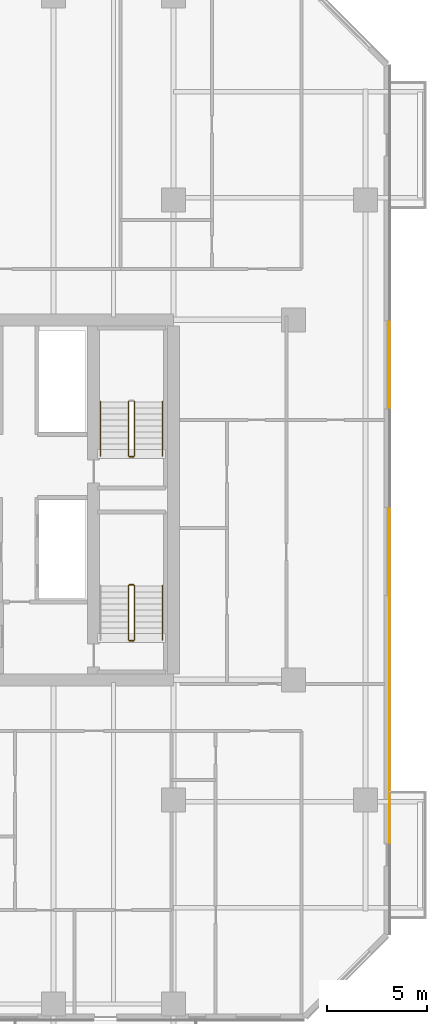
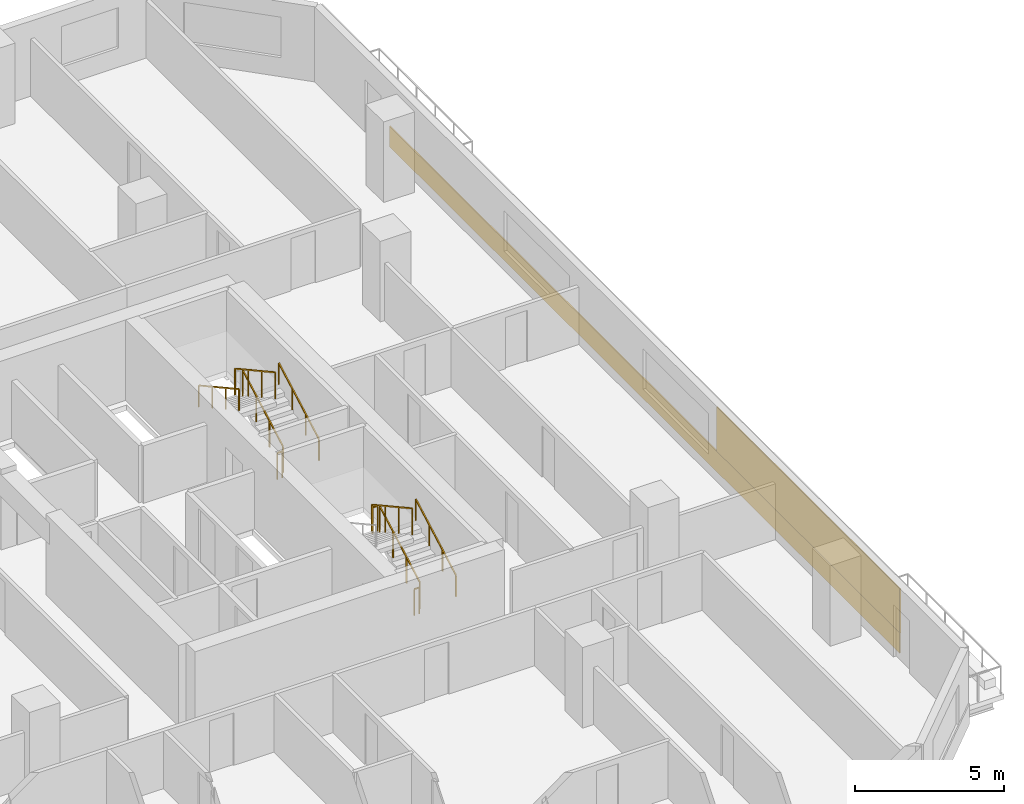
# One storey, part 24 of 26: 10 railings, 2 coverings.
"""IFC4 building model written with IfcOpenShell, lengths in metres."""

from ifc_helpers import new_model, si_unit, direction, frame, origin, origin_2d, place, context, subcontext, project, spatial, rectangle, extrude, material, layer, layer_set, type_object, element, save


model = new_model("IFC4")

# Units and contexts
model_context = context("Model", 3, precision=1e-05, world=origin(), true_north=direction((0.0, 1.0)))
body_context = subcontext(model_context, "Body", "Model", "MODEL_VIEW")
ifc_project = project(units=[si_unit("LENGTHUNIT", "METRE"), si_unit("AREAUNIT", "SQUARE_METRE"), si_unit("VOLUMEUNIT", "CUBIC_METRE"), si_unit("PLANEANGLEUNIT", "RADIAN"), si_unit("MASSUNIT", "GRAM", prefix="KILO")], contexts=[model_context])

# Site, building, storey
site_placement = place(None, origin())
site = spatial("IfcSite", under=ifc_project, at=site_placement, CompositionType="ELEMENT")
building_placement = place(site_placement, origin())
building = spatial("IfcBuilding", under=site, at=building_placement, Name="Tanjung Sevakor Pilgrim Tower", CompositionType="ELEMENT")
storey_placement = place(building_placement, frame((0.0, 0.0, 45.5400390625)))
storey = spatial("IfcBuildingStorey", under=building, at=storey_placement, Name="L12", CompositionType="ELEMENT", Elevation=45.5400390625)

# Coverings
ifc_material_1 = material(Name="Reconstructed Limestone Cladding", Category="masonry")
ifc_layer = layer(ifc_material_1, 0.044921875)
ifc_layer_set = layer_set([ifc_layer], Name="COV-CLAD-LIMESTONE")
covering_type = type_object("IfcCoveringType", Name="COV-CLAD-LIMESTONE", PredefinedType="CLADDING", material=ifc_layer_set)
covering_1_placement = place(storey_placement, frame((100.822509765625, 33.60009765625, 0.009765625), z_axis=(0.0, 0.0, 1.0), x_axis=(0.0, 1.0, 0.0)))
element("IfcCovering", 1, at=covering_1_placement, inside=storey, type_object=covering_type, Name="L12 Warm Limestone Sill Spandrel EW-L12-MAIN-7-2", PredefinedType="CLADDING", context=body_context, shape_type="SweptSolid", body=[
    extrude(rectangle(XDim=34.280029296875, YDim=0.044921875, at=origin_2d()), origin(), (0.0, 0.0, 1.0), 0.840087890625),
])
covering_2_placement = place(storey_placement, frame((100.822509765625, 22.60498046875, 0.849853515625), z_axis=(0.0, 0.0, 1.0), x_axis=(0.0, 1.0, 0.0)))
element("IfcCovering", 2, at=covering_2_placement, inside=storey, type_object=covering_type, Name="L12 Warm Limestone Pier Panel EW-L12-MAIN-7-1", PredefinedType="CLADDING", context=body_context, shape_type="SweptSolid", body=[
    extrude(rectangle(XDim=12.31005859375, YDim=0.044921875, at=origin_2d()), origin(), (0.0, 0.0, 1.0), 1.81005859375),
])

# Railings
ifc_material_2 = material(Name="Steel S355J2", Category="steel")
railing_type_1 = type_object("IfcRailingType", Name="RL-STAIR-GUARD", PredefinedType="GUARDRAIL", material=ifc_material_2)
railing_1_placement = place(storey_placement, frame((88.050048828125, 26.60009765625, 0.1650390625)))
element("IfcRailing", 3, at=railing_1_placement, inside=storey, type_object=railing_type_1, Name="L12 TS-E1 stair guard 1", PredefinedType="GUARDRAIL", context=body_context, shape_type="SweptSolid", body=[
    extrude(rectangle(XDim=0.0479, YDim=0.0479), frame((0.0, 0.0, 1.076171875), z_axis=(0.0, 0.876230963923, 0.481891375584), x_axis=(-1.0, 0.0, 0.0)), (0.0, 0.0, 1.0), 3.081298828125),
    extrude(rectangle(XDim=0.042, YDim=0.042), origin(), (0.0, 0.0, 1.0), 1.052001953125),
    extrude(rectangle(XDim=0.042, YDim=0.042), frame((0.0, 0.89990234375, 0.494873046875)), (0.0, 0.0, 1.0), 1.052001953125),
    extrude(rectangle(XDim=0.042, YDim=0.042), frame((0.0, 1.800048828125, 0.989990234375)), (0.0, 0.0, 1.0), 1.052001953125),
    extrude(rectangle(XDim=0.042, YDim=0.042), frame((0.0, 2.699951171875, 1.48486328125)), (0.0, 0.0, 1.0), 1.052001953125),
])
railing_2_placement = place(storey_placement, frame((88.0, 29.35009765625, 1.64990234375)))
element("IfcRailing", 4, at=railing_2_placement, inside=storey, type_object=railing_type_1, Name="L12 TS-E1 stair guard 2", PredefinedType="GUARDRAIL", context=body_context, shape_type="SweptSolid", body=[
    extrude(rectangle(XDim=0.0479, YDim=0.0479), frame((0.0, 0.0, 1.076171875), z_axis=(-1.0, 0.0, 0.0), x_axis=(0.0, -1.0, 0.0)), (0.0, 0.0, 1.0), 0.199951171875),
    extrude(rectangle(XDim=0.042, YDim=0.042), origin(), (0.0, 0.0, 1.0), 1.052001953125),
    extrude(rectangle(XDim=0.042, YDim=0.042), frame((-0.199951171875, 0.0, 0.0)), (0.0, 0.0, 1.0), 1.052001953125),
])
railing_3_placement = place(storey_placement, frame((87.75, 29.300048828125, 1.81494140625)))
element("IfcRailing", 5, at=railing_3_placement, inside=storey, type_object=railing_type_1, Name="L12 TS-E1 stair guard 3", PredefinedType="GUARDRAIL", context=body_context, shape_type="SweptSolid", body=[
    extrude(rectangle(XDim=0.0479, YDim=0.0479), frame((0.0, 0.0, 1.076171875), z_axis=(0.0, -0.876197507361, 0.481952205197), x_axis=(1.0, 0.0, 0.0)), (0.0, 0.0, 1.0), 3.08154296875),
    extrude(rectangle(XDim=0.042, YDim=0.042), origin(), (0.0, 0.0, 1.0), 1.052001953125),
    extrude(rectangle(XDim=0.042, YDim=0.042), frame((0.0, -0.89990234375, 0.4951171875)), (0.0, 0.0, 1.0), 1.052001953125),
    extrude(rectangle(XDim=0.042, YDim=0.042), frame((0.0, -1.800048828125, 0.989990234375)), (0.0, 0.0, 1.0), 1.052001953125),
    extrude(rectangle(XDim=0.042, YDim=0.042), frame((0.0, -2.699951171875, 1.485107421875)), (0.0, 0.0, 1.0), 1.052001953125),
])
railing_4_placement = place(storey_placement, frame((88.0, 26.550048828125, 0.0)))
element("IfcRailing", 6, at=railing_4_placement, inside=storey, type_object=railing_type_1, Name="L12 TS-E1 stair guard 4", PredefinedType="GUARDRAIL", context=body_context, shape_type="SweptSolid", body=[
    extrude(rectangle(XDim=0.0479, YDim=0.0479), frame((0.0, 0.0, 1.076171875), z_axis=(-1.0, 0.0, 0.0), x_axis=(0.0, -1.0, 0.0)), (0.0, 0.0, 1.0), 0.199951171875),
    extrude(rectangle(XDim=0.042, YDim=0.042), origin(), (0.0, 0.0, 1.0), 1.052001953125),
    extrude(rectangle(XDim=0.042, YDim=0.042), frame((-0.199951171875, 0.0, 0.0)), (0.0, 0.0, 1.0), 1.052001953125),
])
railing_5_placement = place(storey_placement, frame((88.050048828125, 35.800048828125, 0.1650390625)))
element("IfcRailing", 7, at=railing_5_placement, inside=storey, type_object=railing_type_1, Name="L12 TS-E2 stair guard 1", PredefinedType="GUARDRAIL", context=body_context, shape_type="SweptSolid", body=[
    extrude(rectangle(XDim=0.0479, YDim=0.0479), frame((0.0, 0.0, 1.076171875), z_axis=(0.0, 0.876230963923, 0.481891375584), x_axis=(-1.0, 0.0, 0.0)), (0.0, 0.0, 1.0), 3.081298828125),
    extrude(rectangle(XDim=0.042, YDim=0.042), origin(), (0.0, 0.0, 1.0), 1.052001953125),
    extrude(rectangle(XDim=0.042, YDim=0.042), frame((0.0, 0.89990234375, 0.494873046875)), (0.0, 0.0, 1.0), 1.052001953125),
    extrude(rectangle(XDim=0.042, YDim=0.042), frame((0.0, 1.800048828125, 0.989990234375)), (0.0, 0.0, 1.0), 1.052001953125),
    extrude(rectangle(XDim=0.042, YDim=0.042), frame((0.0, 2.699951171875, 1.48486328125)), (0.0, 0.0, 1.0), 1.052001953125),
])
railing_6_placement = place(storey_placement, frame((87.75, 38.5, 1.81494140625)))
element("IfcRailing", 8, at=railing_6_placement, inside=storey, type_object=railing_type_1, Name="L12 TS-E2 stair guard 3", PredefinedType="GUARDRAIL", context=body_context, shape_type="SweptSolid", body=[
    extrude(rectangle(XDim=0.0479, YDim=0.0479), frame((0.0, 0.0, 1.076171875), z_axis=(0.0, -0.876197507361, 0.481952205197), x_axis=(1.0, 0.0, 0.0)), (0.0, 0.0, 1.0), 3.08154296875),
    extrude(rectangle(XDim=0.042, YDim=0.042), origin(), (0.0, 0.0, 1.0), 1.052001953125),
    extrude(rectangle(XDim=0.042, YDim=0.042), frame((0.0, -0.89990234375, 0.4951171875)), (0.0, 0.0, 1.0), 1.052001953125),
    extrude(rectangle(XDim=0.042, YDim=0.042), frame((0.0, -1.800048828125, 0.989990234375)), (0.0, 0.0, 1.0), 1.052001953125),
    extrude(rectangle(XDim=0.042, YDim=0.042), frame((0.0, -2.699951171875, 1.485107421875)), (0.0, 0.0, 1.0), 1.052001953125),
])
railing_7_placement = place(storey_placement, frame((88.0, 35.75, 0.0)))
element("IfcRailing", 9, at=railing_7_placement, inside=storey, type_object=railing_type_1, Name="L12 TS-E2 stair guard 4", PredefinedType="GUARDRAIL", context=body_context, shape_type="SweptSolid", body=[
    extrude(rectangle(XDim=0.0479, YDim=0.0479), frame((0.0, 0.0, 1.076171875), z_axis=(-1.0, 0.0, 0.0), x_axis=(0.0, -1.0, 0.0)), (0.0, 0.0, 1.0), 0.199951171875),
    extrude(rectangle(XDim=0.042, YDim=0.042), origin(), (0.0, 0.0, 1.0), 1.052001953125),
    extrude(rectangle(XDim=0.042, YDim=0.042), frame((-0.199951171875, 0.0, 0.0)), (0.0, 0.0, 1.0), 1.052001953125),
])
ifc_material_3 = material(Name="Steel S355J2", Category="steel")
railing_type_2 = type_object("IfcRailingType", Name="RL-STAIR-HAND", PredefinedType="HANDRAIL", material=ifc_material_3)
for number, where, name in (
    (10, (89.449951171875, 26.60009765625, 0.1650390625), "L12 TS-E1 stair handrail 1"),
    (11, (89.449951171875, 35.800048828125, 0.1650390625), "L12 TS-E2 stair handrail 1"),
):
    element("IfcRailing", number, at=place(storey_placement, frame(where)), inside=storey, type_object=railing_type_2, Name=name, PredefinedType="HANDRAIL", context=body_context, shape_type="SweptSolid", body=[
        extrude(rectangle(XDim=0.0479, YDim=0.0479), frame((0.0, 0.0, 0.8759765625), z_axis=(0.0, 0.876230963923, 0.481891375584), x_axis=(-1.0, 0.0, 0.0)), (0.0, 0.0, 1.0), 3.081298828125),
        extrude(rectangle(XDim=0.042, YDim=0.042), origin(), (0.0, 0.0, 1.0), 0.851806640625),
        extrude(rectangle(XDim=0.042, YDim=0.042), frame((0.0, 0.89990234375, 0.494873046875)), (0.0, 0.0, 1.0), 0.851806640625),
        extrude(rectangle(XDim=0.042, YDim=0.042), frame((0.0, 1.800048828125, 0.989990234375)), (0.0, 0.0, 1.0), 0.851806640625),
        extrude(rectangle(XDim=0.042, YDim=0.042), frame((0.0, 2.699951171875, 1.48486328125)), (0.0, 0.0, 1.0), 0.851806640625),
    ])
railing_8_placement = place(storey_placement, frame((86.35009765625, 38.5, 1.81494140625)))
element("IfcRailing", 12, at=railing_8_placement, inside=storey, type_object=railing_type_2, Name="L12 TS-E2 stair handrail 2", PredefinedType="HANDRAIL", context=body_context, shape_type="SweptSolid", body=[
    extrude(rectangle(XDim=0.0479, YDim=0.0479), frame((0.0, 0.0, 0.8759765625), z_axis=(0.0, -0.876197507361, 0.481952205197), x_axis=(1.0, 0.0, 0.0)), (0.0, 0.0, 1.0), 3.08154296875),
    extrude(rectangle(XDim=0.042, YDim=0.042), origin(), (0.0, 0.0, 1.0), 0.851806640625),
    extrude(rectangle(XDim=0.042, YDim=0.042), frame((0.0, -0.89990234375, 0.4951171875)), (0.0, 0.0, 1.0), 0.851806640625),
    extrude(rectangle(XDim=0.042, YDim=0.042), frame((0.0, -1.800048828125, 0.989990234375)), (0.0, 0.0, 1.0), 0.851806640625),
    extrude(rectangle(XDim=0.042, YDim=0.042), frame((0.0, -2.699951171875, 1.485107421875)), (0.0, 0.0, 1.0), 0.851806640625),
])

save(model, "model.ifc")
